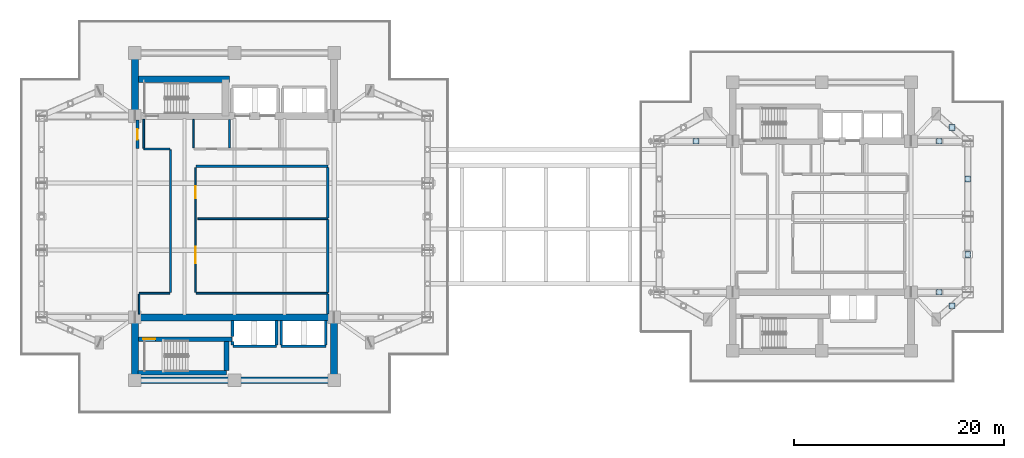
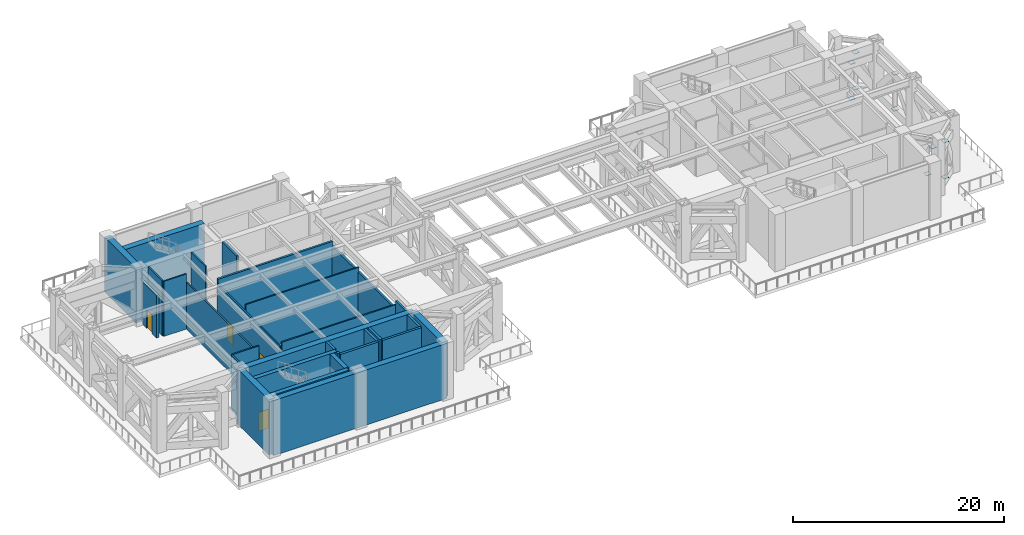
# One storey, part 11 of 21: 31 walls, 14 plates, 4 doors, 4 openings.
"""IFC4 building model written with IfcOpenShell, lengths in metres."""

from ifc_helpers import new_model, si_unit, direction, frame, frame_2d, origin, origin_2d, place, context, subcontext, project, spatial, rectangle, extrude, material, layer, layer_set, type_object, element, fill, save


model = new_model("IFC4")

# Units and contexts
model_context = context("Model", 3, precision=1e-05, world=origin(), true_north=direction((0.0, 1.0)))
body_context = subcontext(model_context, "Body", "Model", "MODEL_VIEW")
ifc_project = project(units=[si_unit("LENGTHUNIT", "METRE"), si_unit("AREAUNIT", "SQUARE_METRE"), si_unit("VOLUMEUNIT", "CUBIC_METRE"), si_unit("PLANEANGLEUNIT", "RADIAN"), si_unit("MASSUNIT", "GRAM", prefix="KILO")], contexts=[model_context])

# Site, building, storey
site_placement = place(None, origin())
site = spatial("IfcSite", under=ifc_project, at=site_placement, CompositionType="ELEMENT")
building_placement = place(site_placement, origin())
building = spatial("IfcBuilding", under=site, at=building_placement, Name="Mirazonda Arch Towers", CompositionType="ELEMENT")
storey_placement = place(building_placement, frame((0.0, 0.0, 81.800048828125)))
storey = spatial("IfcBuildingStorey", under=building, at=storey_placement, Name="L23", CompositionType="ELEMENT", Elevation=81.800048828125)

# Plates
ifc_material_1 = material(Name="Steel ASTM A572 Grade 50", Category="steel")
ifc_layer_1 = layer(ifc_material_1, 0.030029296875, Name="PLATE-CAP-550x550x30")
ifc_layer_set_1 = layer_set([ifc_layer_1], Name="Steel ASTM A572 Grade 50")
plate_type = type_object("IfcPlateType", Name="PLATE-CAP-550x550x30", PredefinedType="USERDEFINED", material=ifc_layer_set_1)
for number, where, z_axis, x_axis, name in (
    (1, (90.39990234375, 24.39990234375, 0.52197265625), (0.0, 0.0, 1.0), (1.0, 0.0, 0.0), "Steel end closure plate NP-BLT-L23-T2-ST03A"),
    (2, (90.39990234375, 24.39990234375, 4.68798828125), (0.0, 0.0, 1.0), (1.0, 0.0, 0.0), "Steel end closure plate NP-BLT-L23-T2-ST03B"),
    (3, (90.39990234375, 31.60009765625, 0.52197265625), (0.0, 0.0, 1.0), (1.0, 0.0, 0.0), "Steel end closure plate NP-BLT-L23-T2-ST04A"),
    (4, (90.39990234375, 31.60009765625, 4.68798828125), (0.0, 0.0, 1.0), (1.0, 0.0, 0.0), "Steel end closure plate NP-BLT-L23-T2-ST04B"),
    (5, (88.89990234375, 19.5, 0.52197265625), (0.0, 0.0, 1.0), (1.0, 0.0, 0.0), "Steel end closure plate NP-BLT-L23-T2-ST06A"),
    (6, (88.89990234375, 19.5, 4.68798828125), (0.0, 0.0, 1.0), (1.0, 0.0, 0.0), "Steel end closure plate NP-BLT-L23-T2-ST06B"),
    (7, (88.89990234375, 36.5, 0.52197265625), (0.0, 0.0, 1.0), (1.0, 0.0, 0.0), "Steel end closure plate NP-BLT-L23-T2-ST08A"),
    (8, (88.89990234375, 36.5, 4.68798828125), (0.0, 0.0, 1.0), (1.0, 0.0, 0.0), "Steel end closure plate NP-BLT-L23-T2-ST08B"),
    (9, (87.699951171875, 20.800048828125, 0.52197265625), (0.0, 0.0, 1.0), (1.0, 0.0, 0.0), "Steel end closure plate NP-OUT-L23-T2-ST02A"),
    (10, (87.699951171875, 20.800048828125, 4.68798828125), (0.0, 0.0, 1.0), (1.0, 0.0, 0.0), "Steel end closure plate NP-OUT-L23-T2-ST02B"),
    (11, (64.5, 35.199951171875, 0.52197265625), (0.0, 0.0, 1.0), (1.0, 0.0, 0.0), "Steel end closure plate NP-OUT-L23-T2-ST03A"),
    (12, (64.5, 35.199951171875, 4.68798828125), (0.0, 0.0, 1.0), (1.0, 0.0, 0.0), "Steel end closure plate NP-OUT-L23-T2-ST03B"),
    (13, (87.699951171875, 35.199951171875, 0.52197265625), (0.0, 0.0, 1.0), (1.0, 0.0, 0.0), "Steel end closure plate NP-OUT-L23-T2-ST04A"),
    (14, (87.699951171875, 35.199951171875, 4.68798828125), (0.0, 0.0, 1.0), (1.0, 0.0, 0.0), "Steel end closure plate NP-OUT-L23-T2-ST04B"),
):
    element("IfcPlate", number, at=place(storey_placement, frame(where, z_axis=z_axis, x_axis=x_axis)), inside=storey, type_object=plate_type, Name=name, ObjectType="CAP PLATE", PredefinedType="USERDEFINED", context=body_context, shape_type="SweptSolid", body=[
        extrude(rectangle(XDim=0.550048828125, YDim=0.550048828125, at=origin_2d()), origin(), (0.0, 0.0, 1.0), 0.0400390625),
    ])

# Wall
ifc_material_2 = material(Name="Concrete C50/60", Category="concrete")
ifc_layer_2 = layer(ifc_material_2, 0.449951171875, Name="WALL-CORE-450")
ifc_layer_set_2 = layer_set([ifc_layer_2], Name="Concrete C50/60")
wall_type_1 = type_object("IfcWallType", Name="WALL-CORE-450", PredefinedType="SHEAR", material=ifc_layer_set_2)
wall_1_placement = place(storey_placement, frame((11.320068359375, 13.1201171875, 0.0), z_axis=(0.0, 0.0, 1.0), x_axis=(1.0, 0.0, 0.0)))
element("IfcWall", 15, at=wall_1_placement, inside=storey, type_object=wall_type_1, Name="L23 Stair Core Shear Wall 001", PredefinedType="SHEAR", context=body_context, shape_type="SweptSolid", body=[
    extrude(rectangle(XDim=8.409912109375, YDim=0.449951171875, at=frame_2d((4.205078125, 0.0))), origin(), (0.0, 0.0, 1.0), 6.3798828125),
])

# Wall, opening, door
wall_2_placement = place(storey_placement, frame((11.320068359375, 16.320068359375, 0.0), z_axis=(0.0, 0.0, 1.0), x_axis=(1.0, 0.0, 0.0)))
wall_2 = element("IfcWall", 16, at=wall_2_placement, inside=storey, type_object=wall_type_1, Name="L23 Stair Core Shear Wall 004", PredefinedType="SHEAR", context=body_context, shape_type="SweptSolid", body=[
    extrude(rectangle(XDim=8.9599609375, YDim=0.449951171875, at=frame_2d((4.47998046875, 0.0))), origin(), (0.0, 0.0, 1.0), 6.3798828125),
])
opening_1_placement = place(wall_2_placement, frame((0.4951171875, 0.0, 0.0)))
opening_1 = element("IfcOpeningElement", 17, at=opening_1_placement, cuts=wall_2, Name="Opening DR-135", PredefinedType="OPENING", context=body_context, shape_type="SweptSolid", body=[
    extrude(rectangle(XDim=1.14990234375, YDim=2.199951171875, at=frame_2d((0.574951171875, 1.10009765625))), frame((0.0, 0.23486328125, 0.0), z_axis=(0.0, -1.0, 0.0), x_axis=(1.0, 0.0, 0.0)), (0.0, 0.0, 1.0), 0.469970703125),
])
ifc_material_3 = material(Name="Architectural Brushed Steel S355", Category="steel")
door_type_1 = type_object("IfcDoorType", Name="DOOR-STAIR-FD90-1150", OperationType="NOTDEFINED", PredefinedType="DOOR", material=ifc_material_3)
door_1_placement = place(opening_1_placement, origin())
door_1 = element("IfcDoor", 18, at=door_1_placement, inside=storey, type_object=door_type_1, Name="L23 Protected Exit Stair South Door", OperationType="SINGLE_SWING_LEFT", OverallHeight=2.199951171875, OverallWidth=1.14990234375, PredefinedType="DOOR", context=body_context, shape_type="SweptSolid", body=[
    extrude(rectangle(XDim=1.14990234375, YDim=2.199951171875, at=frame_2d((0.574951171875, 1.10009765625))), frame((0.0, 0.02490234375, 0.0), z_axis=(0.0, -1.0, 0.0), x_axis=(1.0, 0.0, 0.0)), (0.0, 0.0, 1.0), 0.050048828125),
])
fill(opening_1, door_1)

# Walls
wall_3_placement = place(storey_placement, frame((19.72998046875, 13.35498046875, 0.0), z_axis=(0.0, 0.0, 1.0), x_axis=(0.0, 1.0, 0.0)))
element("IfcWall", 19, at=wall_3_placement, inside=storey, type_object=wall_type_1, Name="L23 Stair Core Shear Wall 029", PredefinedType="SHEAR", context=body_context, shape_type="SweptSolid", body=[
    extrude(rectangle(XDim=2.72998046875, YDim=0.449951171875, at=frame_2d((1.364990234375, 0.0))), origin(), (0.0, 0.0, 1.0), 6.3798828125),
])
ifc_material_4 = material(Name="Concrete C60/75", Category="concrete")
ifc_layer_3 = layer(ifc_material_4, 0.64990234375, Name="WALL-CORE-650")
ifc_layer_set_3 = layer_set([ifc_layer_3], Name="Concrete C60/75")
wall_type_2 = type_object("IfcWallType", Name="WALL-CORE-650", PredefinedType="SHEAR", material=ifc_layer_set_3)
wall_4_placement = place(storey_placement, frame((11.0, 37.60009765625, 0.0), z_axis=(0.0, 0.0, 1.0), x_axis=(0.0, 1.0, 0.0)))
element("IfcWall", 20, at=wall_4_placement, inside=storey, type_object=wall_type_2, Name="L23 T1N-W Core Shear Wall", PredefinedType="SHEAR", context=body_context, shape_type="SweptSolid", body=[
    extrude(rectangle(XDim=6.0, YDim=0.64990234375, at=frame_2d((3.0, 0.0))), origin(), (0.0, 0.0, 1.0), 6.3798828125),
])
wall_5_placement = place(storey_placement, frame((11.0, 41.093017578125, 0.0), z_axis=(0.0, 0.0, 1.0), x_axis=(1.0, 0.0, 0.0)))
element("IfcWall", 21, at=wall_5_placement, inside=storey, type_object=wall_type_2, Name="L23 T1N-STN Core Shear Wall", PredefinedType="SHEAR", context=body_context, shape_type="SweptSolid", body=[
    extrude(rectangle(XDim=9.0, YDim=0.64990234375, at=frame_2d((4.5, 0.0))), origin(), (0.0, 0.0, 1.0), 6.3798828125),
])
wall_6_placement = place(storey_placement, frame((11.0, 12.39990234375, 0.0), z_axis=(0.0, 0.0, 1.0), x_axis=(1.0, 0.0, 0.0)))
element("IfcWall", 22, at=wall_6_placement, inside=storey, type_object=wall_type_2, Name="L23 T1S-S Core Shear Wall", PredefinedType="SHEAR", context=body_context, shape_type="SweptSolid", body=[
    extrude(rectangle(XDim=19.0, YDim=0.64990234375, at=frame_2d((9.5, 0.0))), origin(), (0.0, 0.0, 1.0), 6.3798828125),
])
for number, where, z_axis, x_axis, name in (
    (23, (11.0, 12.39990234375, 0.0), (0.0, 0.0, 1.0), (0.0, 1.0, 0.0), "L23 T1S-W Core Shear Wall"),
    (24, (30.0, 12.39990234375, 0.0), (0.0, 0.0, 1.0), (0.0, 1.0, 0.0), "L23 T1S-E Core Shear Wall"),
):
    element("IfcWall", number, at=place(storey_placement, frame(where, z_axis=z_axis, x_axis=x_axis)), inside=storey, type_object=wall_type_2, Name=name, PredefinedType="SHEAR", context=body_context, shape_type="SweptSolid", body=[
        extrude(rectangle(XDim=6.0, YDim=0.64990234375, at=frame_2d((3.0, 0.0))), origin(), (0.0, 0.0, 1.0), 6.3798828125),
    ])
wall_7_placement = place(storey_placement, frame((11.0, 18.39990234375, 0.0), z_axis=(0.0, 0.0, 1.0), x_axis=(1.0, 0.0, 0.0)))
element("IfcWall", 25, at=wall_7_placement, inside=storey, type_object=wall_type_2, Name="L23 T1S-N Core Shear Wall", PredefinedType="SHEAR", context=body_context, shape_type="SweptSolid", body=[
    extrude(rectangle(XDim=19.0, YDim=0.64990234375, at=frame_2d((9.5, 0.0))), origin(), (0.0, 0.0, 1.0), 6.3798828125),
])

# Wall, opening, door
ifc_material_5 = material(Name="Precast Concrete C40/50", Category="concrete")
ifc_layer_4 = layer(ifc_material_5, 0.280029296875, Name="WALL-EXT-WALL-280")
ifc_layer_set_4 = layer_set([ifc_layer_4], Name="Precast Concrete C40/50")
wall_type_3 = type_object("IfcWallType", Name="WALL-EXT-WALL-280", PredefinedType="SOLIDWALL", material=ifc_layer_set_4)
wall_8_placement = place(storey_placement, frame((11.25, 37.199951171875, 0.0), z_axis=(0.0, 0.0, 1.0), x_axis=(0.0, -1.0, 0.0)))
wall_8 = element("IfcWall", 26, at=wall_8_placement, inside=storey, type_object=wall_type_3, Name="L23 L23 Wind-Portal Deck Maintenance Access Wall WL-L23-DECKACC", PredefinedType="SOLIDWALL", context=body_context, shape_type="SweptSolid", body=[
    extrude(rectangle(XDim=2.699951171875, YDim=0.280029296875, at=frame_2d((1.35009765625, 0.0))), origin(), (0.0, 0.0, 1.0), 4.929931640625),
])
opening_2_placement = place(wall_8_placement, frame((0.85009765625, 0.0, 0.0)))
opening_2 = element("IfcOpeningElement", 27, at=opening_2_placement, cuts=wall_8, Name="Opening DR-110", PredefinedType="OPENING", context=body_context, shape_type="SweptSolid", body=[
    extrude(rectangle(XDim=1.0, YDim=2.14990234375, at=frame_2d((0.5, 1.074951171875))), frame((0.0, 0.14990234375, 0.0), z_axis=(0.0, -1.0, 0.0), x_axis=(1.0, 0.0, 0.0)), (0.0, 0.0, 1.0), 0.300048828125),
])
door_type_2 = type_object("IfcDoorType", Name="DOOR-ROOF-EXT-1000", OperationType="NOTDEFINED", PredefinedType="DOOR", material=ifc_material_3)
door_2_placement = place(opening_2_placement, origin())
door_2 = element("IfcDoor", 28, at=door_2_placement, inside=storey, type_object=door_type_2, Name="L23 Exterior Door DR-DECK-L23", OperationType="SINGLE_SWING_LEFT", OverallHeight=2.14990234375, OverallWidth=1.0, PredefinedType="DOOR", context=body_context, shape_type="SweptSolid", body=[
    extrude(rectangle(XDim=1.0, YDim=2.14990234375, at=frame_2d((0.5, 1.074951171875))), frame((0.0, 0.02490234375, 0.0), z_axis=(0.0, -1.0, 0.0), x_axis=(1.0, 0.0, 0.0)), (0.0, 0.0, 1.0), 0.050048828125),
])
fill(opening_2, door_2)

# Walls
ifc_material_6 = material(Name="Concrete C40/50", Category="concrete")
ifc_layer_5 = layer(ifc_material_6, 0.219970703125, Name="WALL-FFL-220")
ifc_layer_set_5 = layer_set([ifc_layer_5], Name="Concrete C40/50")
wall_type_4 = type_object("IfcWallType", Name="WALL-FFL-220", PredefinedType="SOLIDWALL", material=ifc_layer_set_5)
wall_9_placement = place(storey_placement, frame((16.85009765625, 32.800048828125, 0.0), z_axis=(0.0, 0.0, 1.0), x_axis=(1.0, 0.0, 0.0)))
element("IfcWall", 29, at=wall_9_placement, inside=storey, type_object=wall_type_4, Name="L23 Interior Partition 016", PredefinedType="SOLIDWALL", context=body_context, shape_type="SweptSolid", body=[
    extrude(rectangle(XDim=12.5498046875, YDim=0.219970703125, at=frame_2d((6.27490234375, 0.0))), origin(), (0.0, 0.0, 1.0), 5.908935546875),
])
wall_10_placement = place(storey_placement, frame((20.02490234375, 34.570068359375, 0.0), z_axis=(0.0, 0.0, 1.0), x_axis=(0.0, 1.0, 0.0)))
element("IfcWall", 30, at=wall_10_placement, inside=storey, type_object=wall_type_4, Name="L23 Interior Partition 030", PredefinedType="SOLIDWALL", context=body_context, shape_type="SweptSolid", body=[
    extrude(rectangle(XDim=2.7099609375, YDim=0.219970703125, at=frame_2d((1.35498046875, 0.0))), origin(), (0.0, 0.0, 1.0), 6.3798828125),
])
wall_11_placement = place(storey_placement, frame((29.39990234375, 18.719970703125, 0.0), z_axis=(0.0, 0.0, 1.0), x_axis=(0.0, 1.0, 0.0)))
element("IfcWall", 31, at=wall_11_placement, inside=storey, type_object=wall_type_4, Name="L23 Interior Partition 041", PredefinedType="SOLIDWALL", context=body_context, shape_type="SweptSolid", body=[
    extrude(rectangle(XDim=1.89501953125, YDim=0.219970703125, at=frame_2d((0.947509765625, 0.0))), origin(), (0.0, 0.0, 1.0), 6.3798828125),
])
wall_12_placement = place(storey_placement, frame((29.39990234375, 20.784912109375, 0.0), z_axis=(0.0, 0.0, 1.0), x_axis=(0.0, 1.0, 0.0)))
element("IfcWall", 32, at=wall_12_placement, inside=storey, type_object=wall_type_4, Name="L23 Interior Partition 042", PredefinedType="SOLIDWALL", context=body_context, shape_type="SweptSolid", body=[
    extrude(rectangle(XDim=6.93017578125, YDim=0.219970703125, at=frame_2d((3.465087890625, 0.0))), origin(), (0.0, 0.0, 1.0), 5.424072265625),
])
wall_13_placement = place(storey_placement, frame((29.39990234375, 27.885009765625, 0.0), z_axis=(0.0, 0.0, 1.0), x_axis=(0.0, 1.0, 0.0)))
element("IfcWall", 33, at=wall_13_placement, inside=storey, type_object=wall_type_4, Name="L23 Interior Partition 043", PredefinedType="SOLIDWALL", context=body_context, shape_type="SweptSolid", body=[
    extrude(rectangle(XDim=4.794921875, YDim=0.219970703125, at=frame_2d((2.3974609375, 0.0))), origin(), (0.0, 0.0, 1.0), 5.424072265625),
])
ifc_material_7 = material(Name="Fire-Rated Gypsum Stud Partition")
ifc_layer_6 = layer(ifc_material_7, 0.14990234375, Name="WALL-PART-CORR-150")
ifc_layer_set_6 = layer_set([ifc_layer_6], Name="Fire-Rated Gypsum Stud Partition")
wall_type_5 = type_object("IfcWallType", Name="WALL-PART-CORR-150", PredefinedType="PARTITIONING", material=ifc_layer_set_6)
wall_14_placement = place(storey_placement, frame((11.39990234375, 20.699951171875, 0.0), z_axis=(0.0, 0.0, 1.0), x_axis=(1.0, 0.0, 0.0)))
element("IfcWall", 34, at=wall_14_placement, inside=storey, type_object=wall_type_5, Name="L23 Interior Partition 007", PredefinedType="PARTITIONING", context=body_context, shape_type="SweptSolid", body=[
    extrude(rectangle(XDim=2.9501953125, YDim=0.14990234375, at=frame_2d((1.47509765625, 0.0))), origin(), (0.0, 0.0, 1.0), 6.3798828125),
])
wall_15_placement = place(storey_placement, frame((16.85009765625, 20.699951171875, 0.0), z_axis=(0.0, 0.0, 1.0), x_axis=(1.0, 0.0, 0.0)))
element("IfcWall", 35, at=wall_15_placement, inside=storey, type_object=wall_type_5, Name="L23 Interior Partition 008", PredefinedType="PARTITIONING", context=body_context, shape_type="SweptSolid", body=[
    extrude(rectangle(XDim=12.5498046875, YDim=0.14990234375, at=frame_2d((6.27490234375, 0.0))), origin(), (0.0, 0.0, 1.0), 5.908935546875),
])
wall_16_placement = place(storey_placement, frame((17.0, 27.800048828125, 0.0), z_axis=(0.0, 0.0, 1.0), x_axis=(1.0, 0.0, 0.0)))
element("IfcWall", 36, at=wall_16_placement, inside=storey, type_object=wall_type_5, Name="L23 Interior Partition 012", PredefinedType="PARTITIONING", context=body_context, shape_type="SweptSolid", body=[
    extrude(rectangle(XDim=12.39990234375, YDim=0.14990234375, at=frame_2d((6.199951171875, 0.0))), origin(), (0.0, 0.0, 1.0), 5.908935546875),
])
wall_17_placement = place(storey_placement, frame((11.85009765625, 34.449951171875, 0.0), z_axis=(0.0, 0.0, 1.0), x_axis=(1.0, 0.0, 0.0)))
element("IfcWall", 37, at=wall_17_placement, inside=storey, type_object=wall_type_5, Name="L23 Interior Partition 017", PredefinedType="PARTITIONING", context=body_context, shape_type="SweptSolid", body=[
    extrude(rectangle(XDim=2.5, YDim=0.14990234375, at=frame_2d((1.25, 0.0))), origin(), (0.0, 0.0, 1.0), 6.3798828125),
])
wall_18_placement = place(storey_placement, frame((11.39990234375, 18.719970703125, 0.0), z_axis=(0.0, 0.0, 1.0), x_axis=(0.0, 1.0, 0.0)))
element("IfcWall", 38, at=wall_18_placement, inside=storey, type_object=wall_type_5, Name="L23 Interior Partition 024", PredefinedType="PARTITIONING", context=body_context, shape_type="SweptSolid", body=[
    extrude(rectangle(XDim=1.89501953125, YDim=0.14990234375, at=frame_2d((0.947509765625, 0.0))), origin(), (0.0, 0.0, 1.0), 6.3798828125),
])
wall_19_placement = place(storey_placement, frame((11.85009765625, 34.534912109375, 0.0), z_axis=(0.0, 0.0, 1.0), x_axis=(0.0, 1.0, 0.0)))
element("IfcWall", 39, at=wall_19_placement, inside=storey, type_object=wall_type_5, Name="L23 Interior Partition 025", PredefinedType="PARTITIONING", context=body_context, shape_type="SweptSolid", body=[
    extrude(rectangle(XDim=2.7451171875, YDim=0.14990234375, at=frame_2d((1.37255859375, 0.0))), origin(), (0.0, 0.0, 1.0), 6.3798828125),
])
wall_20_placement = place(storey_placement, frame((14.39990234375, 20.784912109375, 0.0), z_axis=(0.0, 0.0, 1.0), x_axis=(0.0, 1.0, 0.0)))
element("IfcWall", 40, at=wall_20_placement, inside=storey, type_object=wall_type_5, Name="L23 Interior Partition 026", PredefinedType="PARTITIONING", context=body_context, shape_type="SweptSolid", body=[
    extrude(rectangle(XDim=13.580078125, YDim=0.14990234375, at=frame_2d((6.7900390625, 0.0))), origin(), (0.0, 0.0, 1.0), 5.424072265625),
])
wall_21_placement = place(storey_placement, frame((16.60009765625, 34.570068359375, 0.0), z_axis=(0.0, 0.0, 1.0), x_axis=(0.0, 1.0, 0.0)))
element("IfcWall", 41, at=wall_21_placement, inside=storey, type_object=wall_type_5, Name="L23 Interior Partition 027", PredefinedType="PARTITIONING", context=body_context, shape_type="SweptSolid", body=[
    extrude(rectangle(XDim=2.7099609375, YDim=0.14990234375, at=frame_2d((1.35498046875, 0.0))), origin(), (0.0, 0.0, 1.0), 6.3798828125),
])

# Wall, openings, doors
wall_22_placement = place(storey_placement, frame((16.800048828125, 20.784912109375, 0.0), z_axis=(0.0, 0.0, 1.0), x_axis=(0.0, 1.0, 0.0)))
wall_22 = element("IfcWall", 42, at=wall_22_placement, inside=storey, type_object=wall_type_5, Name="L23 Interior Partition 028", PredefinedType="PARTITIONING", context=body_context, shape_type="SweptSolid", body=[
    extrude(rectangle(XDim=11.89501953125, YDim=0.14990234375, at=frame_2d((5.947509765625, 0.0))), origin(), (0.0, 0.0, 1.0), 5.424072265625),
])
opening_3_placement = place(wall_22_placement, frame((8.9599609375, 0.0, 0.0)))
opening_3 = element("IfcOpeningElement", 43, at=opening_3_placement, cuts=wall_22, Name="Opening DR-135", PredefinedType="OPENING", context=body_context, shape_type="SweptSolid", body=[
    extrude(rectangle(XDim=1.14990234375, YDim=2.199951171875, at=frame_2d((0.574951171875, 1.10009765625))), frame((0.0, 0.0849609375, 0.0), z_axis=(0.0, -1.0, 0.0), x_axis=(1.0, 0.0, 0.0)), (0.0, 0.0, 1.0), 0.169921875),
])
opening_4_placement = place(wall_22_placement, frame((2.764892578125, 0.0, 0.0)))
opening_4 = element("IfcOpeningElement", 44, at=opening_4_placement, cuts=wall_22, Name="Opening DR-113", PredefinedType="OPENING", context=body_context, shape_type="SweptSolid", body=[
    extrude(rectangle(XDim=1.60009765625, YDim=2.300048828125, at=frame_2d((0.800048828125, 1.14990234375))), frame((0.0, 0.0849609375, 0.0), z_axis=(0.0, -1.0, 0.0), x_axis=(1.0, 0.0, 0.0)), (0.0, 0.0, 1.0), 0.169921875),
])
door_type_3 = type_object("IfcDoorType", Name="DOOR-PLANT-FD60-1600", OperationType="NOTDEFINED", PredefinedType="DOOR", material=ifc_material_3)
door_3_placement = place(opening_4_placement, origin())
door_3 = element("IfcDoor", 45, at=door_3_placement, inside=storey, type_object=door_type_3, Name="L23 L23 Tower 1 Primary Air-Handling Plant Room Door", OperationType="SINGLE_SWING_LEFT", OverallHeight=2.300048828125, OverallWidth=1.60009765625, PredefinedType="DOOR", context=body_context, shape_type="SweptSolid", body=[
    extrude(rectangle(XDim=1.60009765625, YDim=2.300048828125, at=frame_2d((0.800048828125, 1.14990234375))), frame((0.0, 0.02490234375, 0.0), z_axis=(0.0, -1.0, 0.0), x_axis=(1.0, 0.0, 0.0)), (0.0, 0.0, 1.0), 0.050048828125),
])
fill(opening_4, door_3)
door_4_placement = place(opening_3_placement, origin())
door_4 = element("IfcDoor", 46, at=door_4_placement, inside=storey, type_object=door_type_1, Name="L23 L23 Tower 1 Pressurized Sky-Refuge Area Door", OperationType="SINGLE_SWING_RIGHT", OverallHeight=2.199951171875, OverallWidth=1.14990234375, PredefinedType="DOOR", context=body_context, shape_type="SweptSolid", body=[
    extrude(rectangle(XDim=1.14990234375, YDim=2.199951171875, at=frame_2d((0.574951171875, 1.10009765625))), frame((0.0, 0.02490234375, 0.0), z_axis=(0.0, -1.0, 0.0), x_axis=(1.0, 0.0, 0.0)), (0.0, 0.0, 1.0), 0.050048828125),
])
fill(opening_3, door_4)

# Walls
ifc_layer_7 = layer(ifc_material_6, 0.25, Name="WALL-SHAFT-250")
ifc_layer_set_7 = layer_set([ifc_layer_7], Name="Concrete C40/50")
wall_type_6 = type_object("IfcWallType", Name="WALL-SHAFT-250", PredefinedType="SOLIDWALL", material=ifc_layer_set_7)
wall_23_placement = place(storey_placement, frame((20.35009765625, 15.64990234375, 0.0), z_axis=(0.0, 0.0, 1.0), x_axis=(1.0, 0.0, 0.0)))
element("IfcWall", 47, at=wall_23_placement, inside=storey, type_object=wall_type_6, Name="L23 Interior Partition 002", PredefinedType="SOLIDWALL", context=body_context, shape_type="SweptSolid", body=[
    extrude(rectangle(XDim=4.14990234375, YDim=0.25, at=frame_2d((2.074951171875, 0.0))), origin(), (0.0, 0.0, 1.0), 6.3798828125),
])
wall_24_placement = place(storey_placement, frame((24.949951171875, 15.64990234375, 0.0), z_axis=(0.0, 0.0, 1.0), x_axis=(1.0, 0.0, 0.0)))
element("IfcWall", 48, at=wall_24_placement, inside=storey, type_object=wall_type_6, Name="L23 Interior Partition 003", PredefinedType="SOLIDWALL", context=body_context, shape_type="SweptSolid", body=[
    extrude(rectangle(XDim=4.25, YDim=0.25, at=frame_2d((2.125, 0.0))), origin(), (0.0, 0.0, 1.0), 6.3798828125),
])
wall_25_placement = place(storey_placement, frame((20.31494140625, 15.784912109375, 0.0), z_axis=(0.0, 0.0, 1.0), x_axis=(0.0, 1.0, 0.0)))
element("IfcWall", 49, at=wall_25_placement, inside=storey, type_object=wall_type_6, Name="L23 Interior Partition 031", PredefinedType="SOLIDWALL", context=body_context, shape_type="SweptSolid", body=[
    extrude(rectangle(XDim=0.300048828125, YDim=0.25, at=frame_2d((0.14990234375, 0.0))), origin(), (0.0, 0.0, 1.0), 6.3798828125),
])
wall_26_placement = place(storey_placement, frame((20.31494140625, 16.554931640625, 0.0), z_axis=(0.0, 0.0, 1.0), x_axis=(0.0, 1.0, 0.0)))
element("IfcWall", 50, at=wall_26_placement, inside=storey, type_object=wall_type_6, Name="L23 Interior Partition 032", PredefinedType="SOLIDWALL", context=body_context, shape_type="SweptSolid", body=[
    extrude(rectangle(XDim=1.525146484375, YDim=0.25, at=frame_2d((0.7626953125, 0.0))), origin(), (0.0, 0.0, 1.0), 6.3798828125),
])
for number, where, z_axis, x_axis, name in (
    (51, (24.5, 15.784912109375, 0.0), (0.0, 0.0, 1.0), (0.0, 1.0, 0.0), "L23 Interior Partition 034"),
    (52, (24.949951171875, 15.784912109375, 0.0), (0.0, 0.0, 1.0), (0.0, 1.0, 0.0), "L23 Interior Partition 036"),
    (53, (29.199951171875, 15.784912109375, 0.0), (0.0, 0.0, 1.0), (0.0, 1.0, 0.0), "L23 Interior Partition 039"),
):
    element("IfcWall", number, at=place(storey_placement, frame(where, z_axis=z_axis, x_axis=x_axis)), inside=storey, type_object=wall_type_6, Name=name, PredefinedType="SOLIDWALL", context=body_context, shape_type="SweptSolid", body=[
        extrude(rectangle(XDim=2.295166015625, YDim=0.25, at=frame_2d((1.1474609375, 0.0))), origin(), (0.0, 0.0, 1.0), 6.3798828125),
    ])

save(model, "model.ifc")
